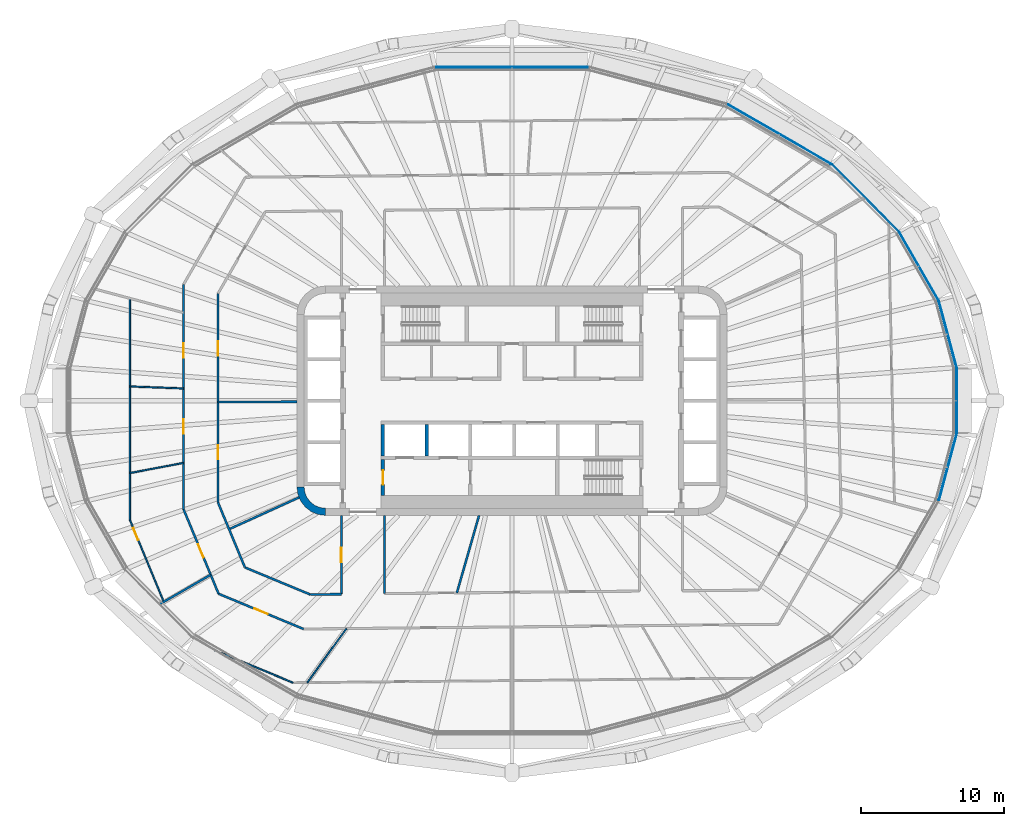
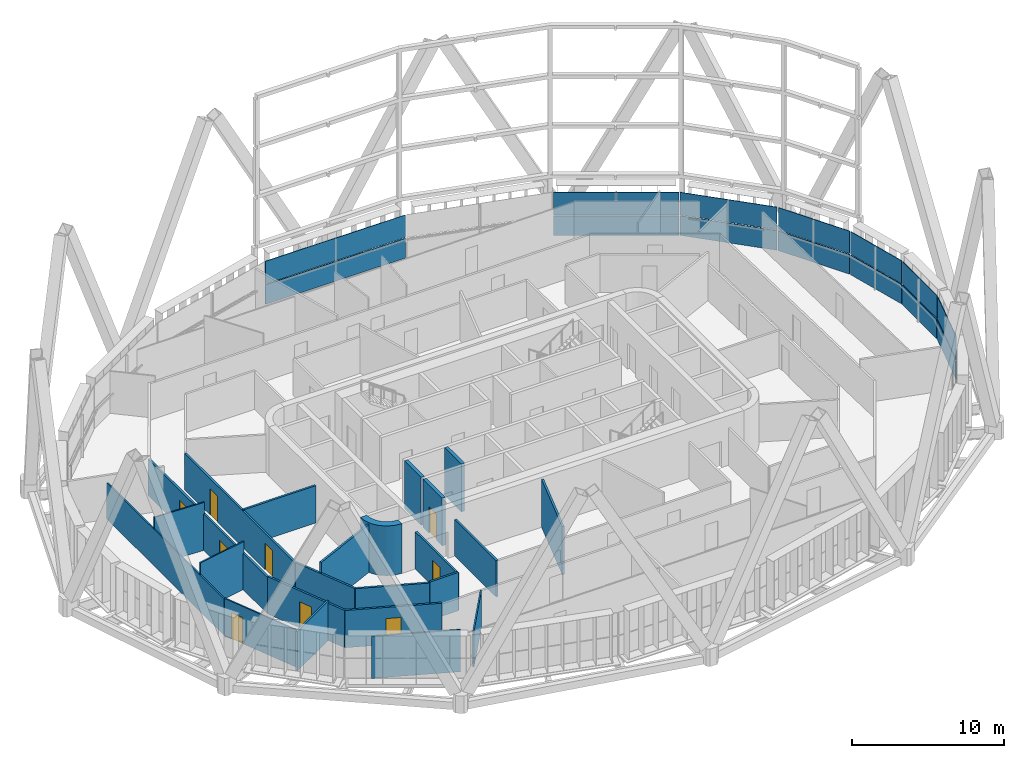
# One storey, part 12 of 25: 23 walls, 14 plates, 9 doors, 9 openings, 7 elements without a shape of their own.
"""IFC4 building model written with IfcOpenShell, lengths in metres."""

from ifc_helpers import new_model, si_unit, direction, frame, frame_2d, origin, place, context, subcontext, project, spatial, polyline, rectangle, outline, extrude, material, layer, layer_set, type_object, element, fill, aggregate, save


model = new_model("IFC4")

# Units and contexts
model_context = context("Model", 3, precision=1e-05, world=origin(), true_north=direction((0.0, 1.0)))
body_context = subcontext(model_context, "Body", "Model", "MODEL_VIEW")
ifc_project = project(units=[si_unit("LENGTHUNIT", "METRE"), si_unit("AREAUNIT", "SQUARE_METRE"), si_unit("VOLUMEUNIT", "CUBIC_METRE"), si_unit("PLANEANGLEUNIT", "RADIAN"), si_unit("MASSUNIT", "GRAM", prefix="KILO")], contexts=[model_context])

# Site, building, storey
site_placement = place(None, origin())
site = spatial("IfcSite", under=ifc_project, at=site_placement, CompositionType="ELEMENT")
building_placement = place(site_placement, origin())
building = spatial("IfcBuilding", under=site, at=building_placement, Name="Sahrelin Media Tower", CompositionType="ELEMENT")
storey_placement = place(building_placement, frame((0.0, 0.0, 181.60009765625)))
storey = spatial("IfcBuildingStorey", under=building, at=storey_placement, Name="L38", CompositionType="ELEMENT", Elevation=181.60009765625)

# Curtain wall, plate
ifc_material_1 = material(Name="Champagne anodised aluminium 6063-T6", Category="aluminium")
ifc_layer_1 = layer(ifc_material_1, 0.14990234375)
ifc_layer_set_1 = layer_set([ifc_layer_1], Name="Tower ribbon curtain wall")
curtain_wall_type = type_object("IfcCurtainWallType", Name="Tower ribbon curtain wall", PredefinedType="NOTDEFINED", material=ifc_layer_set_1)
curtain_wall_1_placement = place(storey_placement, frame((31.015625, 0.0, 0.0), z_axis=(0.0, 0.0, 1.0), x_axis=(1.0, 0.0, 0.0)))
curtain_wall_1 = element("IfcCurtainWall", 1, at=curtain_wall_1_placement, inside=storey, type_object=curtain_wall_type, Name="L38:CW:L38-00", PredefinedType="NOTDEFINED")
ifc_material_2 = material(Name="Clear low-iron glazing", Category="glass")
ifc_layer_2 = layer(ifc_material_2, 0.0439453125)
ifc_layer_set_2 = layer_set([ifc_layer_2], Name="Glazing panel 44 mm CW1B")
plate_type_1 = type_object("IfcPlateType", Name="Glazing panel 44 mm CW1B", PredefinedType="CURTAIN_PANEL", material=ifc_layer_set_2)
plate_1_placement = place(storey_placement, frame((31.03564453125, -2.2666015625, 1.6298828125), z_axis=(1.0, 0.0, 0.0), x_axis=(0.0, 1.0, 0.0)))
plate_1 = element("IfcPlate", 2, at=plate_1_placement, type_object=plate_type_1, Name="L38:CWP2:L38-00", PredefinedType="CURTAIN_PANEL", context=body_context, shape_type="SweptSolid", body=[
    extrude(outline(polyline([(0.0, 0.0), (4.533203125, 0.0), (4.533203125, 1.818603515625), (0.0, 1.818603515625), (0.0, 0.0)])), origin(), (0.0, 0.0, -1.0), 0.0439453125),
])

curtain_wall_2_placement = place(storey_placement, frame((30.388427734375, 4.65673828125, 0.0), z_axis=(0.0, 0.0, 1.0), x_axis=(1.0, 0.0, 0.0)))
curtain_wall_2 = element("IfcCurtainWall", 3, at=curtain_wall_2_placement, inside=storey, type_object=curtain_wall_type, Name="L38:CW:L38-01", PredefinedType="NOTDEFINED")
plate_2_placement = place(storey_placement, frame((31.02197265625, 2.3701171875, 1.6298828125), z_axis=(0.965926006822, 0.258818371342, 0.0), x_axis=(-0.258818371342, 0.965926006822, 0.0)))
plate_2 = element("IfcPlate", 4, at=plate_2_placement, type_object=plate_type_1, Name="L38:CWP2:L38-01", PredefinedType="CURTAIN_PANEL", context=body_context, shape_type="SweptSolid", body=[
    extrude(outline(polyline([(0.0, 0.0), (4.74560546875, 0.0), (4.74560546875, 1.818603515625), (0.0, 1.818603515625), (0.0, 0.0)])), origin(), (0.0, 0.0, -1.0), 0.0439453125),
])

curtain_wall_3_placement = place(storey_placement, frame((28.383056640625, 9.384765625, 0.0), z_axis=(0.0, 0.0, 1.0), x_axis=(1.0, 0.0, 0.0)))
curtain_wall_3 = element("IfcCurtainWall", 5, at=curtain_wall_3_placement, inside=storey, type_object=curtain_wall_type, Name="L38:CW:L38-02", PredefinedType="NOTDEFINED")
plate_3_placement = place(storey_placement, frame((29.753662109375, 7.05029296875, 1.6298828125), z_axis=(0.866045162472, 0.499965775388, 0.0), x_axis=(-0.499965775388, 0.866045162472, 0.0)))
plate_3 = element("IfcPlate", 6, at=plate_3_placement, type_object=plate_type_1, Name="L38:CWP2:L38-02", PredefinedType="CURTAIN_PANEL", context=body_context, shape_type="SweptSolid", body=[
    extrude(outline(polyline([(0.0, 0.0), (5.4140625, 0.0), (5.4140625, 1.818603515625), (0.0, 1.818603515625), (0.0, 0.0)])), origin(), (0.0, 0.0, -1.0), 0.0439453125),
])

curtain_wall_4_placement = place(storey_placement, frame((24.635986328125, 14.140625, 0.0), z_axis=(0.0, 0.0, 1.0), x_axis=(1.0, 0.0, 0.0)))
curtain_wall_4 = element("IfcCurtainWall", 7, at=curtain_wall_4_placement, inside=storey, type_object=curtain_wall_type, Name="L38:CW:L38-03", PredefinedType="NOTDEFINED")
plate_4_placement = place(storey_placement, frame((26.9833984375, 11.82177734375, 1.6298828125), z_axis=(0.70708828337, 0.707125278519, 0.0), x_axis=(-0.707125278519, 0.70708828337, 0.0)))
plate_4 = element("IfcPlate", 8, at=plate_4_placement, type_object=plate_type_1, Name="L38:CWP2:L38-03", PredefinedType="CURTAIN_PANEL", context=body_context, shape_type="SweptSolid", body=[
    extrude(outline(polyline([(0.0, 0.0), (6.599365234375, 0.0), (6.599365234375, 1.818603515625), (0.0, 1.818603515625), (0.0, 0.0)])), origin(), (0.0, 0.0, -1.0), 0.0439453125),
])

curtain_wall_5_placement = place(storey_placement, frame((18.652099609375, 18.5966796875, 0.0), z_axis=(0.0, 0.0, 1.0), x_axis=(1.0, 0.0, 0.0)))
curtain_wall_5 = element("IfcCurtainWall", 9, at=curtain_wall_5_placement, inside=storey, type_object=curtain_wall_type, Name="L38:CW:L38-04", PredefinedType="NOTDEFINED")
plate_5_placement = place(storey_placement, frame((22.234130859375, 16.551513671875, 1.6298828125), z_axis=(0.500022174841, 0.866012600756, 0.0), x_axis=(-0.866012600756, 0.500022174841, 0.0)))
plate_5 = element("IfcPlate", 10, at=plate_5_placement, type_object=plate_type_1, Name="L38:CWP2:L38-04", PredefinedType="CURTAIN_PANEL", context=body_context, shape_type="SweptSolid", body=[
    extrude(outline(polyline([(0.0, 0.0), (8.249755859375, 0.0), (8.249755859375, 1.818603515625), (0.0, 1.818603515625), (0.0, 0.0)])), origin(), (0.0, 0.0, -1.0), 0.0439453125),
])

curtain_wall_6_placement = place(storey_placement, frame((0.0, 23.273681640625, 0.0), z_axis=(0.0, 0.0, 1.0), x_axis=(1.0, 0.0, 0.0)))
curtain_wall_6 = element("IfcCurtainWall", 11, at=curtain_wall_6_placement, inside=storey, type_object=curtain_wall_type, Name="L38:CW:L38-06", PredefinedType="NOTDEFINED")
plate_6_placement = place(storey_placement, frame((5.3212890625, 23.293701171875, 1.6298828125), z_axis=(0.0, 1.0, 0.0), x_axis=(-1.0, 0.0, 0.0)))
plate_6 = element("IfcPlate", 12, at=plate_6_placement, type_object=plate_type_1, Name="L38:CWP2:L38-06", PredefinedType="CURTAIN_PANEL", context=body_context, shape_type="SweptSolid", body=[
    extrude(outline(polyline([(0.0, 0.0), (10.642578125, 0.0), (10.642578125, 1.818603515625), (0.0, 1.818603515625), (0.0, 0.0)])), origin(), (0.0, 0.0, -1.0), 0.0439453125),
])

curtain_wall_7_placement = place(storey_placement, frame((30.388427734375, -4.656982421875, 0.0), z_axis=(0.0, 0.0, 1.0), x_axis=(1.0, 0.0, 0.0)))
curtain_wall_7 = element("IfcCurtainWall", 13, at=curtain_wall_7_placement, inside=storey, type_object=curtain_wall_type, Name="L38:CW:L38-23", PredefinedType="NOTDEFINED")
plate_7_placement = place(storey_placement, frame((29.793701171875, -6.9541015625, 1.6298828125), z_axis=(0.965926006822, -0.258818371342, 0.0), x_axis=(0.258818371342, 0.965926006822, 0.0)))
plate_7 = element("IfcPlate", 14, at=plate_7_placement, type_object=plate_type_1, Name="L38:CWP2:L38-23", PredefinedType="CURTAIN_PANEL", context=body_context, shape_type="SweptSolid", body=[
    extrude(outline(polyline([(0.0, 0.0), (4.74560546875, 0.0), (4.74560546875, 1.818603515625), (0.0, 1.818603515625), (0.0, 0.0)])), origin(), (0.0, 0.0, -1.0), 0.0439453125),
])

# Plate
ifc_material_3 = material(Name="Insulated spandrel panel")
ifc_layer_3 = layer(ifc_material_3, 0.06005859375)
ifc_layer_set_3 = layer_set([ifc_layer_3], Name="Spandrel panel 60 mm CW1")
plate_type_2 = type_object("IfcPlateType", Name="Spandrel panel 60 mm CW1", PredefinedType="SHEET", material=ifc_layer_set_3)
plate_8_placement = place(storey_placement, frame((31.03564453125, -2.2666015625, 0.0), z_axis=(1.0, 0.0, 0.0), x_axis=(0.0, 1.0, 0.0)))
plate_8 = element("IfcPlate", 15, at=plate_8_placement, type_object=plate_type_2, Name="L38:CWP1:L38-00", PredefinedType="SHEET", context=body_context, shape_type="SweptSolid", body=[
    extrude(outline(polyline([(0.0, 0.0), (4.533203125, 0.0), (4.533203125, 1.56982421875), (0.0, 1.56982421875), (0.0, 0.0)])), origin(), (0.0, 0.0, -1.0), 0.06005859375),
])

aggregate(curtain_wall_1, [plate_8, plate_1])

plate_9_placement = place(storey_placement, frame((31.02197265625, 2.3701171875, 0.0), z_axis=(0.965926006822, 0.258818371342, 0.0), x_axis=(-0.258818371342, 0.965926006822, 0.0)))
plate_9 = element("IfcPlate", 16, at=plate_9_placement, type_object=plate_type_2, Name="L38:CWP1:L38-01", PredefinedType="SHEET", context=body_context, shape_type="SweptSolid", body=[
    extrude(outline(polyline([(0.0, 0.0), (4.74560546875, 0.0), (4.74560546875, 1.56982421875), (0.0, 1.56982421875), (0.0, 0.0)])), origin(), (0.0, 0.0, -1.0), 0.06005859375),
])

aggregate(curtain_wall_2, [plate_9, plate_2])

plate_10_placement = place(storey_placement, frame((29.753662109375, 7.05029296875, 0.0), z_axis=(0.866045162472, 0.499965775388, 0.0), x_axis=(-0.499965775388, 0.866045162472, 0.0)))
plate_10 = element("IfcPlate", 17, at=plate_10_placement, type_object=plate_type_2, Name="L38:CWP1:L38-02", PredefinedType="SHEET", context=body_context, shape_type="SweptSolid", body=[
    extrude(outline(polyline([(0.0, 0.0), (5.4140625, 0.0), (5.4140625, 1.56982421875), (0.0, 1.56982421875), (0.0, 0.0)])), origin(), (0.0, 0.0, -1.0), 0.06005859375),
])

aggregate(curtain_wall_3, [plate_10, plate_3])

plate_11_placement = place(storey_placement, frame((26.9833984375, 11.82177734375, 0.0), z_axis=(0.70708828337, 0.707125278519, 0.0), x_axis=(-0.707125278519, 0.70708828337, 0.0)))
plate_11 = element("IfcPlate", 18, at=plate_11_placement, type_object=plate_type_2, Name="L38:CWP1:L38-03", PredefinedType="SHEET", context=body_context, shape_type="SweptSolid", body=[
    extrude(outline(polyline([(0.0, 0.0), (6.599365234375, 0.0), (6.599365234375, 1.56982421875), (0.0, 1.56982421875), (0.0, 0.0)])), origin(), (0.0, 0.0, -1.0), 0.06005859375),
])

aggregate(curtain_wall_4, [plate_11, plate_4])

plate_12_placement = place(storey_placement, frame((22.234130859375, 16.551513671875, 0.0), z_axis=(0.500022174841, 0.866012600756, 0.0), x_axis=(-0.866012600756, 0.500022174841, 0.0)))
plate_12 = element("IfcPlate", 19, at=plate_12_placement, type_object=plate_type_2, Name="L38:CWP1:L38-04", PredefinedType="SHEET", context=body_context, shape_type="SweptSolid", body=[
    extrude(outline(polyline([(0.0, 0.0), (8.249755859375, 0.0), (8.249755859375, 1.56982421875), (0.0, 1.56982421875), (0.0, 0.0)])), origin(), (0.0, 0.0, -1.0), 0.06005859375),
])

aggregate(curtain_wall_5, [plate_12, plate_5])

plate_13_placement = place(storey_placement, frame((5.3212890625, 23.293701171875, 0.0), z_axis=(0.0, 1.0, 0.0), x_axis=(-1.0, 0.0, 0.0)))
plate_13 = element("IfcPlate", 20, at=plate_13_placement, type_object=plate_type_2, Name="L38:CWP1:L38-06", PredefinedType="SHEET", context=body_context, shape_type="SweptSolid", body=[
    extrude(outline(polyline([(0.0, 0.0), (10.642578125, 0.0), (10.642578125, 1.56982421875), (0.0, 1.56982421875), (0.0, 0.0)])), origin(), (0.0, 0.0, -1.0), 0.06005859375),
])

aggregate(curtain_wall_6, [plate_13, plate_6])

plate_14_placement = place(storey_placement, frame((29.793701171875, -6.9541015625, 0.0), z_axis=(0.965926006822, -0.258818371342, 0.0), x_axis=(0.258818371342, 0.965926006822, 0.0)))
plate_14 = element("IfcPlate", 21, at=plate_14_placement, type_object=plate_type_2, Name="L38:CWP1:L38-23", PredefinedType="SHEET", context=body_context, shape_type="SweptSolid", body=[
    extrude(outline(polyline([(0.0, 0.0), (4.74560546875, 0.0), (4.74560546875, 1.56982421875), (0.0, 1.56982421875), (0.0, 0.0)])), origin(), (0.0, 0.0, -1.0), 0.06005859375),
])

aggregate(curtain_wall_7, [plate_14, plate_7])

# Wall
ifc_material_4 = material(Name="Concrete C60/75", Category="concrete")
ifc_layer_4 = layer(ifc_material_4, 0.5)
ifc_layer_set_4 = layer_set([ifc_layer_4], Name="Core wall 500")
wall_type_1 = type_object("IfcWallType", Name="Core wall 500", PredefinedType="SHEAR", material=ifc_layer_set_4)
wall_1_placement = place(storey_placement, origin())
element("IfcWall", 22, at=wall_1_placement, inside=storey, type_object=wall_type_1, Name="Core wall corner SW L38", PredefinedType="SHEAR", context=body_context, shape_type="SweptSolid", body=[
    extrude(outline(polyline([(-13.0, -8.0), (-13.0, -7.49560546875), (-13.38720703125, -7.44482421875), (-13.747802734375, -7.29541015625), (-14.0576171875, -7.0576171875), (-14.29541015625, -6.747802734375), (-14.44482421875, -6.38720703125), (-14.49560546875, -6.0), (-15.0, -6.0), (-14.931884765625, -6.517578125), (-14.732177734375, -7.0), (-14.414306640625, -7.414306640625), (-14.0, -7.732177734375), (-13.517578125, -7.931884765625), (-13.0, -8.0)])), origin(), (0.0, 0.0, 1.0), 4.0),
])

# Wall, opening, door
ifc_material_5 = material(Name="Fire-rated gypsum board partition")
ifc_layer_5 = layer(ifc_material_5, 0.14990234375)
ifc_layer_set_5 = layer_set([ifc_layer_5], Name="Fire-rated partition 150")
wall_type_2 = type_object("IfcWallType", Name="Fire-rated partition 150", PredefinedType="PARTITIONING", material=ifc_layer_set_5)
wall_2_placement = place(storey_placement, frame((-22.89990234375, -7.572021484375, 0.0), z_axis=(0.0, 0.0, 1.0), x_axis=(0.382906596633, -0.923787063265, 0.0)))
wall_2 = element("IfcWall", 23, at=wall_2_placement, inside=storey, type_object=wall_type_2, Name="Wall", PredefinedType="PARTITIONING", context=body_context, shape_type="SweptSolid", body=[
    extrude(rectangle(XDim=6.37353515625, YDim=0.14990234375, at=frame_2d((3.186767578125, 0.0))), origin(), (0.0, 0.0, 1.0), 2.994873046875),
])
opening_1_placement = place(wall_2_placement, frame((2.638427734375, 0.0, 0.0)))
opening_1 = element("IfcOpeningElement", 24, at=opening_1_placement, cuts=wall_2, Name="Opening L38-D50", PredefinedType="OPENING", context=body_context, shape_type="SweptSolid", body=[
    extrude(rectangle(XDim=1.0, YDim=2.10009765625, at=frame_2d((0.5, 1.050048828125))), frame((0.0, 0.074951171875, 0.0), z_axis=(0.0, -1.0, 0.0), x_axis=(1.0, 0.0, 0.0)), (0.0, 0.0, 1.0), 0.14990234375),
])
ifc_material_6 = material(Name="Steel fire door leaf", Category="steel")
door_type_1 = type_object("IfcDoorType", Name="Fire door 1000 x 2100 EI 60", OperationType="NOTDEFINED", PredefinedType="DOOR", material=ifc_material_6)
door_1_placement = place(opening_1_placement, origin())
door_1 = element("IfcDoor", 25, at=door_1_placement, inside=storey, type_object=door_type_1, Name="Fire door", OperationType="SINGLE_SWING_LEFT", OverallHeight=2.10009765625, OverallWidth=1.0, PredefinedType="DOOR", context=body_context, shape_type="SweptSolid", body=[
    extrude(rectangle(XDim=1.0, YDim=2.10009765625, at=frame_2d((0.5, 1.050048828125))), frame((0.0, 0.02490234375, 0.0), z_axis=(0.0, -1.0, 0.0), x_axis=(1.0, 0.0, 0.0)), (0.0, 0.0, 1.0), 0.050048828125),
])
fill(opening_1, door_1)

# Wall
wall_3_placement = place(storey_placement, frame((-20.5, -7.094970703125, 0.0), z_axis=(0.0, 0.0, 1.0), x_axis=(0.382920689694, -0.923781221613, 0.0)))
element("IfcWall", 26, at=wall_3_placement, inside=storey, type_object=wall_type_2, Name="Wall", PredefinedType="PARTITIONING", context=body_context, shape_type="SweptSolid", body=[
    extrude(rectangle(XDim=4.901611328125, YDim=0.14990234375, at=frame_2d((2.45068359375, 0.0))), origin(), (0.0, 0.0, 1.0), 2.994873046875),
])

# Wall, opening, door
wall_4_placement = place(storey_placement, frame((-20.4599609375, -13.4599609375, 0.0), z_axis=(0.0, 0.0, 1.0), x_axis=(0.923801547606, -0.382871650349, 0.0)))
wall_4 = element("IfcWall", 27, at=wall_4_placement, inside=storey, type_object=wall_type_2, Name="Wall", PredefinedType="PARTITIONING", context=body_context, shape_type="SweptSolid", body=[
    extrude(rectangle(XDim=6.414794921875, YDim=0.14990234375, at=frame_2d((3.20751953125, 0.0))), origin(), (0.0, 0.0, 1.0), 2.994873046875),
])
opening_2_placement = place(wall_4_placement, frame((2.70703125, 0.0, 0.0)))
opening_2 = element("IfcOpeningElement", 28, at=opening_2_placement, cuts=wall_4, Name="Opening L38-D52", PredefinedType="OPENING", context=body_context, shape_type="SweptSolid", body=[
    extrude(rectangle(XDim=1.0, YDim=2.10009765625, at=frame_2d((0.5, 1.050048828125))), frame((0.0, 0.074951171875, 0.0), z_axis=(0.0, -1.0, 0.0), x_axis=(1.0, 0.0, 0.0)), (0.0, 0.0, 1.0), 0.14990234375),
])
door_2_placement = place(opening_2_placement, origin())
door_2 = element("IfcDoor", 29, at=door_2_placement, inside=storey, type_object=door_type_1, Name="Fire door", OperationType="SINGLE_SWING_RIGHT", OverallHeight=2.10009765625, OverallWidth=1.0, PredefinedType="DOOR", context=body_context, shape_type="SweptSolid", body=[
    extrude(rectangle(XDim=1.0, YDim=2.10009765625, at=frame_2d((0.5, 1.050048828125))), frame((0.0, 0.02490234375, 0.0), z_axis=(0.0, -1.0, 0.0), x_axis=(1.0, 0.0, 0.0)), (0.0, 0.0, 1.0), 0.050048828125),
])
fill(opening_2, door_2)

# Walls
wall_5_placement = place(storey_placement, frame((-18.623046875, -11.623046875, 0.0), z_axis=(0.0, 0.0, 1.0), x_axis=(0.923791670587, -0.38289548098, 0.0)))
element("IfcWall", 30, at=wall_5_placement, inside=storey, type_object=wall_type_2, Name="Wall", PredefinedType="PARTITIONING", context=body_context, shape_type="SweptSolid", body=[
    extrude(rectangle(XDim=4.9306640625, YDim=0.14990234375, at=frame_2d((2.46533203125, 0.0))), origin(), (0.0, 0.0, 1.0), 2.994873046875),
])
wall_6_placement = place(storey_placement, frame((-20.5, -0.093994140625, 0.0), z_axis=(0.0, 0.0, 1.0), x_axis=(0.999990148138, 0.004438876723, 0.0)))
element("IfcWall", 31, at=wall_6_placement, inside=storey, type_object=wall_type_2, Name="Wall", PredefinedType="PARTITIONING", context=body_context, shape_type="SweptSolid", body=[
    extrude(rectangle(XDim=5.5, YDim=0.14990234375, at=frame_2d((2.75, 0.0))), origin(), (0.0, 0.0, 1.0), 2.994873046875),
])
wall_7_placement = place(storey_placement, frame((-14.068115234375, -13.510986328125, 0.0), z_axis=(0.0, 0.0, 1.0), x_axis=(0.999950911515, 0.009908307647, 0.0)))
element("IfcWall", 32, at=wall_7_placement, inside=storey, type_object=wall_type_2, Name="Wall", PredefinedType="PARTITIONING", context=body_context, shape_type="SweptSolid", body=[
    extrude(rectangle(XDim=2.168212890625, YDim=0.14990234375, at=frame_2d((1.083984375, 0.0))), origin(), (0.0, 0.0, 1.0), 3.075927734375),
])
wall_8_placement = place(storey_placement, frame((-19.72802734375, -8.9580078125, 0.0), z_axis=(0.0, 0.0, 1.0), x_axis=(0.910629511797, 0.413223779863, 0.0)))
element("IfcWall", 33, at=wall_8_placement, inside=storey, type_object=wall_type_2, Name="Wall", PredefinedType="PARTITIONING", context=body_context, shape_type="SweptSolid", body=[
    extrude(rectangle(XDim=5.3681640625, YDim=0.14990234375, at=frame_2d((2.68408203125, 0.0))), origin(), (0.0, 0.0, 1.0), 3.849853515625),
])
wall_9_placement = place(storey_placement, frame((-24.5830078125, -14.193115234375, 0.0), z_axis=(0.0, 0.0, 1.0), x_axis=(0.866294951489, 0.499532838785, 0.0)))
element("IfcWall", 34, at=wall_9_placement, inside=storey, type_object=wall_type_2, Name="Wall", PredefinedType="PARTITIONING", context=body_context, shape_type="SweptSolid", body=[
    extrude(rectangle(XDim=4.12451171875, YDim=0.14990234375, at=frame_2d((2.062255859375, 0.0))), origin(), (0.0, 0.0, 1.0), 3.15185546875),
])
wall_10_placement = place(storey_placement, frame((-3.845947265625, -13.39892578125, 0.0), z_axis=(0.0, 0.0, 1.0), x_axis=(0.275914969745, 0.961182048038, 0.0)))
element("IfcWall", 35, at=wall_10_placement, inside=storey, type_object=wall_type_2, Name="Wall", PredefinedType="PARTITIONING", context=body_context, shape_type="SweptSolid", body=[
    extrude(rectangle(XDim=5.616943359375, YDim=0.14990234375, at=frame_2d((2.80859375, 0.0))), origin(), (0.0, 0.0, 1.0), 3.849853515625),
])
wall_11_placement = place(storey_placement, frame((-8.89990234375, -13.448974609375, 0.0), z_axis=(0.0, 0.0, 1.0), x_axis=(0.0, 1.0, 0.0)))
element("IfcWall", 36, at=wall_11_placement, inside=storey, type_object=wall_type_2, Name="Wall", PredefinedType="PARTITIONING", context=body_context, shape_type="SweptSolid", body=[
    extrude(rectangle(XDim=5.448974609375, YDim=0.14990234375, at=frame_2d((2.724609375, 0.0))), origin(), (0.0, 0.0, 1.0), 2.927001953125),
])

# Wall, opening, door
wall_12_placement = place(storey_placement, frame((-11.89990234375, -13.489990234375, 0.0), z_axis=(0.0, 0.0, 1.0), x_axis=(0.0, 1.0, 0.0)))
wall_12 = element("IfcWall", 37, at=wall_12_placement, inside=storey, type_object=wall_type_2, Name="Wall", PredefinedType="PARTITIONING", context=body_context, shape_type="SweptSolid", body=[
    extrude(rectangle(XDim=5.489990234375, YDim=0.14990234375, at=frame_2d((2.7451171875, 0.0))), origin(), (0.0, 0.0, 1.0), 2.994873046875),
])
opening_3_placement = place(wall_12_placement, frame((2.2451171875, 0.0, 0.0)))
opening_3 = element("IfcOpeningElement", 38, at=opening_3_placement, cuts=wall_12, Name="Opening L38-D33", PredefinedType="OPENING", context=body_context, shape_type="SweptSolid", body=[
    extrude(rectangle(XDim=1.0, YDim=2.10009765625, at=frame_2d((0.5, 1.050048828125))), frame((0.0, 0.074951171875, 0.0), z_axis=(0.0, -1.0, 0.0), x_axis=(1.0, 0.0, 0.0)), (0.0, 0.0, 1.0), 0.14990234375),
])
door_3_placement = place(opening_3_placement, origin())
door_3 = element("IfcDoor", 39, at=door_3_placement, inside=storey, type_object=door_type_1, Name="Fire door", OperationType="SINGLE_SWING_LEFT", OverallHeight=2.10009765625, OverallWidth=1.0, PredefinedType="DOOR", context=body_context, shape_type="SweptSolid", body=[
    extrude(rectangle(XDim=1.0, YDim=2.10009765625, at=frame_2d((0.5, 1.050048828125))), frame((0.0, 0.02490234375, 0.0), z_axis=(0.0, -1.0, 0.0), x_axis=(1.0, 0.0, 0.0)), (0.0, 0.0, 1.0), 0.050048828125),
])
fill(opening_3, door_3)

# Wall, openings, doors
wall_13_placement = place(storey_placement, frame((-20.5, -7.094970703125, 0.0), z_axis=(0.0, 0.0, 1.0), x_axis=(0.0, 1.0, 0.0)))
wall_13 = element("IfcWall", 40, at=wall_13_placement, inside=storey, type_object=wall_type_2, Name="Wall", PredefinedType="PARTITIONING", context=body_context, shape_type="SweptSolid", body=[
    extrude(rectangle(XDim=14.569091796875, YDim=0.14990234375, at=frame_2d((7.28466796875, 0.0))), origin(), (0.0, 0.0, 1.0), 2.927001953125),
])
opening_4_placement = place(wall_13_placement, frame((10.234375, 0.0, 0.0)))
opening_4 = element("IfcOpeningElement", 41, at=opening_4_placement, cuts=wall_13, Name="Opening L38-D31", PredefinedType="OPENING", context=body_context, shape_type="SweptSolid", body=[
    extrude(rectangle(XDim=1.0, YDim=2.10009765625, at=frame_2d((0.5, 1.050048828125))), frame((0.0, 0.074951171875, 0.0), z_axis=(0.0, -1.0, 0.0), x_axis=(1.0, 0.0, 0.0)), (0.0, 0.0, 1.0), 0.14990234375),
])
opening_5_placement = place(wall_13_placement, frame((3.00048828125, 0.0, 0.0)))
opening_5 = element("IfcOpeningElement", 42, at=opening_5_placement, cuts=wall_13, Name="Opening L38-D32", PredefinedType="OPENING", context=body_context, shape_type="SweptSolid", body=[
    extrude(rectangle(XDim=1.0, YDim=2.10009765625, at=frame_2d((0.5, 1.050048828125))), frame((0.0, 0.074951171875, 0.0), z_axis=(0.0, -1.0, 0.0), x_axis=(1.0, 0.0, 0.0)), (0.0, 0.0, 1.0), 0.14990234375),
])
door_4_placement = place(opening_4_placement, origin())
door_4 = element("IfcDoor", 43, at=door_4_placement, inside=storey, type_object=door_type_1, Name="Fire door", OperationType="SINGLE_SWING_RIGHT", OverallHeight=2.10009765625, OverallWidth=1.0, PredefinedType="DOOR", context=body_context, shape_type="SweptSolid", body=[
    extrude(rectangle(XDim=1.0, YDim=2.10009765625, at=frame_2d((0.5, 1.050048828125))), frame((0.0, 0.02490234375, 0.0), z_axis=(0.0, -1.0, 0.0), x_axis=(1.0, 0.0, 0.0)), (0.0, 0.0, 1.0), 0.050048828125),
])
fill(opening_4, door_4)
door_5_placement = place(opening_5_placement, origin())
door_5 = element("IfcDoor", 44, at=door_5_placement, inside=storey, type_object=door_type_1, Name="Fire door", OperationType="SINGLE_SWING_LEFT", OverallHeight=2.10009765625, OverallWidth=1.0, PredefinedType="DOOR", context=body_context, shape_type="SweptSolid", body=[
    extrude(rectangle(XDim=1.0, YDim=2.10009765625, at=frame_2d((0.5, 1.050048828125))), frame((0.0, 0.02490234375, 0.0), z_axis=(0.0, -1.0, 0.0), x_axis=(1.0, 0.0, 0.0)), (0.0, 0.0, 1.0), 0.050048828125),
])
fill(opening_5, door_5)

wall_14_placement = place(storey_placement, frame((-22.89990234375, -7.572021484375, 0.0), z_axis=(0.0, 0.0, 1.0), x_axis=(0.0, 1.0, 0.0)))
wall_14 = element("IfcWall", 45, at=wall_14_placement, inside=storey, type_object=wall_type_2, Name="Wall", PredefinedType="PARTITIONING", context=body_context, shape_type="SweptSolid", body=[
    extrude(rectangle(XDim=15.68896484375, YDim=0.14990234375, at=frame_2d((7.844482421875, 0.0))), origin(), (0.0, 0.0, 1.0), 2.927001953125),
])
opening_6_placement = place(wall_14_placement, frame((10.568603515625, 0.0, 0.0)))
opening_6 = element("IfcOpeningElement", 46, at=opening_6_placement, cuts=wall_14, Name="Opening L38-D48", PredefinedType="OPENING", context=body_context, shape_type="SweptSolid", body=[
    extrude(rectangle(XDim=1.0, YDim=2.10009765625, at=frame_2d((0.5, 1.050048828125))), frame((0.0, 0.074951171875, 0.0), z_axis=(0.0, -1.0, 0.0), x_axis=(1.0, 0.0, 0.0)), (0.0, 0.0, 1.0), 0.14990234375),
])
opening_7_placement = place(wall_14_placement, frame((5.282470703125, 0.0, 0.0)))
opening_7 = element("IfcOpeningElement", 47, at=opening_7_placement, cuts=wall_14, Name="Opening L38-D49", PredefinedType="OPENING", context=body_context, shape_type="SweptSolid", body=[
    extrude(rectangle(XDim=1.0, YDim=2.10009765625, at=frame_2d((0.5, 1.050048828125))), frame((0.0, 0.074951171875, 0.0), z_axis=(0.0, -1.0, 0.0), x_axis=(1.0, 0.0, 0.0)), (0.0, 0.0, 1.0), 0.14990234375),
])
door_6_placement = place(opening_6_placement, origin())
door_6 = element("IfcDoor", 48, at=door_6_placement, inside=storey, type_object=door_type_1, Name="Fire door", OperationType="SINGLE_SWING_RIGHT", OverallHeight=2.10009765625, OverallWidth=1.0, PredefinedType="DOOR", context=body_context, shape_type="SweptSolid", body=[
    extrude(rectangle(XDim=1.0, YDim=2.10009765625, at=frame_2d((0.5, 1.050048828125))), frame((0.0, 0.02490234375, 0.0), z_axis=(0.0, -1.0, 0.0), x_axis=(1.0, 0.0, 0.0)), (0.0, 0.0, 1.0), 0.050048828125),
])
fill(opening_6, door_6)
door_7_placement = place(opening_7_placement, origin())
door_7 = element("IfcDoor", 49, at=door_7_placement, inside=storey, type_object=door_type_1, Name="Fire door", OperationType="SINGLE_SWING_LEFT", OverallHeight=2.10009765625, OverallWidth=1.0, PredefinedType="DOOR", context=body_context, shape_type="SweptSolid", body=[
    extrude(rectangle(XDim=1.0, YDim=2.10009765625, at=frame_2d((0.5, 1.050048828125))), frame((0.0, 0.02490234375, 0.0), z_axis=(0.0, -1.0, 0.0), x_axis=(1.0, 0.0, 0.0)), (0.0, 0.0, 1.0), 0.050048828125),
])
fill(opening_7, door_7)

# Wall, opening, door
ifc_layer_6 = layer(ifc_material_5, 0.25)
ifc_layer_set_6 = layer_set([ifc_layer_6], Name="Firefighting lobby wall 250")
wall_type_3 = type_object("IfcWallType", Name="Firefighting lobby wall 250", PredefinedType="PARTITIONING", material=ifc_layer_set_6)
wall_15_placement = place(storey_placement, frame((-9.0, -6.60009765625, 0.0), z_axis=(0.0, 0.0, 1.0), x_axis=(0.0, 1.0, 0.0)))
wall_15 = element("IfcWall", 50, at=wall_15_placement, inside=storey, type_object=wall_type_3, Name="Core wall", PredefinedType="PARTITIONING", context=body_context, shape_type="SweptSolid", body=[
    extrude(rectangle(XDim=2.5, YDim=0.25, at=frame_2d((1.25, 0.0))), origin(), (0.0, 0.0, 1.0), 3.849853515625),
])
opening_8_placement = place(wall_15_placement, frame((0.75, 0.0, 0.0)))
opening_8 = element("IfcOpeningElement", 51, at=opening_8_placement, cuts=wall_15, Name="Opening L38-D04", PredefinedType="OPENING", context=body_context, shape_type="SweptSolid", body=[
    extrude(rectangle(XDim=1.0, YDim=2.10009765625, at=frame_2d((0.5, 1.050048828125))), frame((0.0, 0.125, 0.0), z_axis=(0.0, -1.0, 0.0), x_axis=(1.0, 0.0, 0.0)), (0.0, 0.0, 1.0), 0.25),
])
door_type_2 = type_object("IfcDoorType", Name="Firefighting lobby door 1000 x 2100 EI 120", OperationType="NOTDEFINED", PredefinedType="DOOR", material=ifc_material_6)
door_8_placement = place(opening_8_placement, origin())
door_8 = element("IfcDoor", 52, at=door_8_placement, inside=storey, type_object=door_type_2, Name="Firefighting lobby door", OperationType="SINGLE_SWING_LEFT", OverallHeight=2.10009765625, OverallWidth=1.0, PredefinedType="DOOR", context=body_context, shape_type="SweptSolid", body=[
    extrude(rectangle(XDim=1.0, YDim=2.10009765625, at=frame_2d((0.5, 1.050048828125))), frame((0.0, 0.02490234375, 0.0), z_axis=(0.0, -1.0, 0.0), x_axis=(1.0, 0.0, 0.0)), (0.0, 0.0, 1.0), 0.050048828125),
])
fill(opening_8, door_8)

# Walls
ifc_layer_7 = layer(ifc_material_4, 0.25)
ifc_layer_set_7 = layer_set([ifc_layer_7], Name="Lift shaft wall 250")
wall_type_4 = type_object("IfcWallType", Name="Lift shaft wall 250", PredefinedType="SOLIDWALL", material=ifc_layer_set_7)
for number, where, z_axis, x_axis, name in (
    (53, (-9.0, -3.85009765625, 0.0), (0.0, 0.0, 1.0), (0.0, 1.0, 0.0), "Lift shaft wall"),
    (54, (-5.949951171875, -3.85009765625, 0.0), (0.0, 0.0, 1.0), (0.0, 1.0, 0.0), "Lift shaft wall"),
):
    element("IfcWall", number, at=place(storey_placement, frame(where, z_axis=z_axis, x_axis=x_axis)), inside=storey, type_object=wall_type_4, Name=name, PredefinedType="SOLIDWALL", context=body_context, shape_type="SweptSolid", body=[
        extrude(rectangle(XDim=2.2001953125, YDim=0.25, at=frame_2d((1.10009765625, 0.0))), origin(), (0.0, 0.0, 1.0), 3.849853515625),
    ])

# Wall, opening, door
ifc_material_7 = material(Name="Gypsum board partition")
ifc_layer_8 = layer(ifc_material_7, 0.10009765625)
ifc_layer_set_8 = layer_set([ifc_layer_8], Name="Partition 100")
wall_type_5 = type_object("IfcWallType", Name="Partition 100", PredefinedType="PARTITIONING", material=ifc_layer_set_8)
wall_16_placement = place(storey_placement, frame((-26.639892578125, -8.31591796875, 0.0), z_axis=(0.0, 0.0, 1.0), x_axis=(0.382861877987, -0.923805597723, 0.0)))
wall_16 = element("IfcWall", 55, at=wall_16_placement, inside=storey, type_object=wall_type_5, Name="Wall", PredefinedType="PARTITIONING", context=body_context, shape_type="SweptSolid", body=[
    extrude(rectangle(XDim=6.17138671875, YDim=0.10009765625, at=frame_2d((3.085693359375, 0.0))), origin(), (0.0, 0.0, 1.0), 2.994873046875),
])
opening_9_placement = place(wall_16_placement, frame((0.60009765625, 0.0, 0.0)))
opening_9 = element("IfcOpeningElement", 56, at=opening_9_placement, cuts=wall_16, Name="Opening L38-D51", PredefinedType="OPENING", context=body_context, shape_type="SweptSolid", body=[
    extrude(rectangle(XDim=0.89990234375, YDim=2.10009765625, at=frame_2d((0.449951171875, 1.050048828125))), frame((0.0, 0.050048828125, 0.0), z_axis=(0.0, -1.0, 0.0), x_axis=(1.0, 0.0, 0.0)), (0.0, 0.0, 1.0), 0.10009765625),
])
ifc_material_8 = material(Name="Timber door leaf", Category="wood")
door_type_3 = type_object("IfcDoorType", Name="Single door 900 x 2100", OperationType="NOTDEFINED", PredefinedType="DOOR", material=ifc_material_8)
door_9_placement = place(opening_9_placement, origin())
door_9 = element("IfcDoor", 57, at=door_9_placement, inside=storey, type_object=door_type_3, Name="Single door", OperationType="SINGLE_SWING_RIGHT", OverallHeight=2.10009765625, OverallWidth=0.89990234375, PredefinedType="DOOR", context=body_context, shape_type="SweptSolid", body=[
    extrude(rectangle(XDim=0.89990234375, YDim=2.10009765625, at=frame_2d((0.449951171875, 1.050048828125))), frame((0.0, 0.02490234375, 0.0), z_axis=(0.0, -1.0, 0.0), x_axis=(1.0, 0.0, 0.0)), (0.0, 0.0, 1.0), 0.050048828125),
])
fill(opening_9, door_9)

# Walls
wall_17_placement = place(storey_placement, frame((-20.73193359375, -17.39501953125, 0.0), z_axis=(0.0, 0.0, 1.0), x_axis=(0.923788700377, -0.382902646968, 0.0)))
element("IfcWall", 58, at=wall_17_placement, inside=storey, type_object=wall_type_5, Name="Wall", PredefinedType="PARTITIONING", context=body_context, shape_type="SweptSolid", body=[
    extrude(rectangle(XDim=5.92333984375, YDim=0.10009765625, at=frame_2d((2.961669921875, 0.0))), origin(), (0.0, 0.0, 1.0), 3.372802734375),
])
wall_18_placement = place(storey_placement, frame((-26.639892578125, 0.9970703125, 0.0), z_axis=(0.0, 0.0, 1.0), x_axis=(0.999298745045, -0.037443532845, 0.0)))
element("IfcWall", 59, at=wall_18_placement, inside=storey, type_object=wall_type_5, Name="Wall", PredefinedType="PARTITIONING", context=body_context, shape_type="SweptSolid", body=[
    extrude(rectangle(XDim=3.74267578125, YDim=0.10009765625, at=frame_2d((1.871337890625, 0.0))), origin(), (0.0, 0.0, 1.0), 3.849853515625),
])
wall_19_placement = place(storey_placement, frame((-26.639892578125, -5.041015625, 0.0), z_axis=(0.0, 0.0, 1.0), x_axis=(0.982549025403, 0.186003797485, 0.0)))
element("IfcWall", 60, at=wall_19_placement, inside=storey, type_object=wall_type_5, Name="Wall", PredefinedType="PARTITIONING", context=body_context, shape_type="SweptSolid", body=[
    extrude(rectangle(XDim=3.806396484375, YDim=0.10009765625, at=frame_2d((1.9033203125, 0.0))), origin(), (0.0, 0.0, 1.0), 3.849853515625),
])
wall_20_placement = place(storey_placement, frame((-14.279052734375, -19.653076171875, 0.0), z_axis=(0.0, 0.0, 1.0), x_axis=(0.587800653116, 0.809005804797, 0.0)))
element("IfcWall", 61, at=wall_20_placement, inside=storey, type_object=wall_type_5, Name="Wall", PredefinedType="PARTITIONING", context=body_context, shape_type="SweptSolid", body=[
    extrude(rectangle(XDim=4.656494140625, YDim=0.10009765625, at=frame_2d((2.328125, 0.0))), origin(), (0.0, 0.0, 1.0), 2.927001953125),
])
wall_21_placement = place(storey_placement, frame((-26.639892578125, -8.31591796875, 0.0), z_axis=(0.0, 0.0, 1.0), x_axis=(0.0, 1.0, 0.0)))
element("IfcWall", 62, at=wall_21_placement, inside=storey, type_object=wall_type_5, Name="Wall", PredefinedType="PARTITIONING", context=body_context, shape_type="SweptSolid", body=[
    extrude(rectangle(XDim=15.453857421875, YDim=0.10009765625, at=frame_2d((7.72705078125, 0.0))), origin(), (0.0, 0.0, 1.0), 2.927001953125),
])

save(model, "model.ifc")
